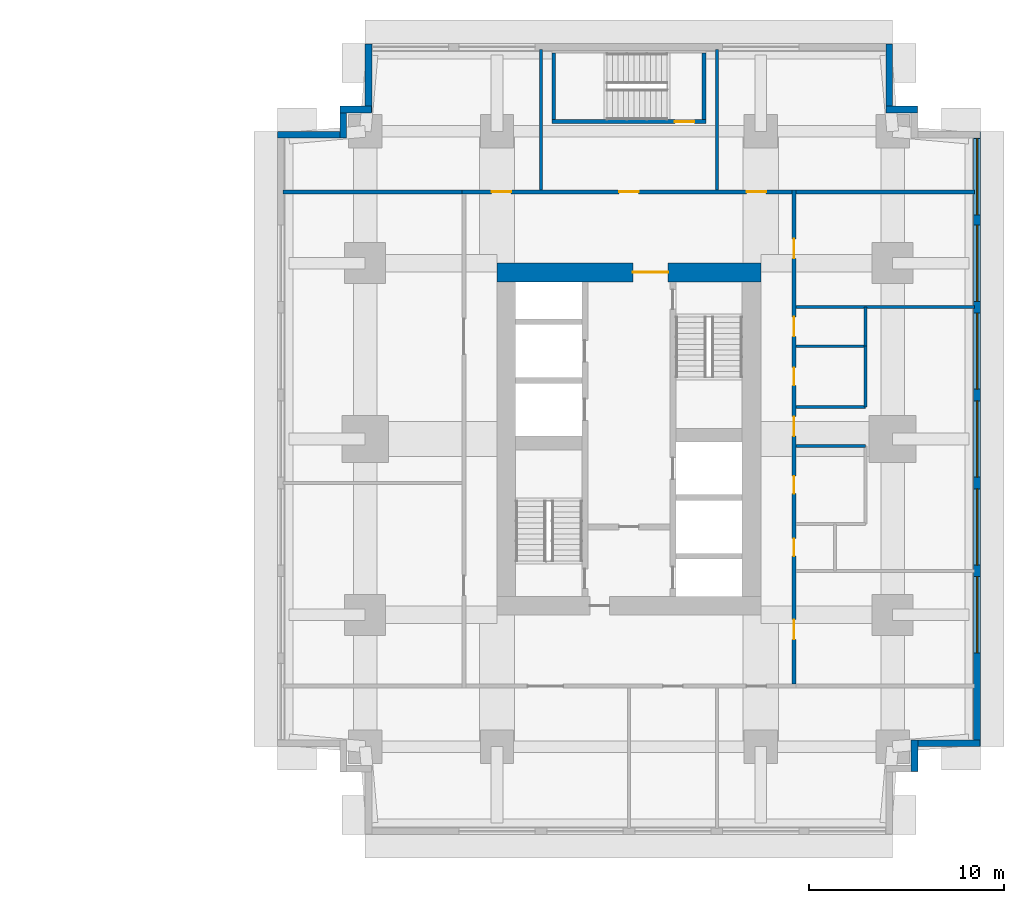
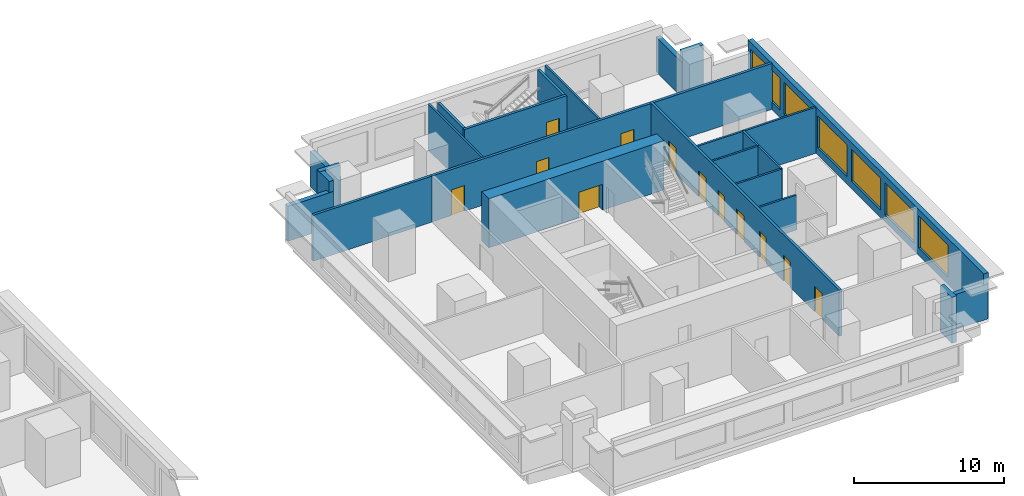
# One storey, part 7 of 11: 25 walls, 12 doors, 6 windows, 18 openings.
"""IFC4 building model written with IfcOpenShell, lengths in metres."""

from ifc_helpers import new_model, si_unit, direction, frame, frame_2d, origin, place, context, subcontext, project, spatial, rectangle, extrude, material, layer, layer_set, type_object, element, fill, save


model = new_model("IFC4")

# Units and contexts
model_context = context("Model", 3, precision=1e-05, world=origin(), true_north=direction((0.0, 1.0)))
body_context = subcontext(model_context, "Body", "Model", "MODEL_VIEW")
ifc_project = project(units=[si_unit("LENGTHUNIT", "METRE"), si_unit("AREAUNIT", "SQUARE_METRE"), si_unit("VOLUMEUNIT", "CUBIC_METRE"), si_unit("PLANEANGLEUNIT", "RADIAN"), si_unit("MASSUNIT", "GRAM", prefix="KILO")], contexts=[model_context])

# Site, building, storey
site_placement = place(None, origin())
site = spatial("IfcSite", under=ifc_project, at=site_placement, CompositionType="ELEMENT")
building_placement = place(site_placement, origin())
building = spatial("IfcBuilding", under=site, at=building_placement, Name="Namib Vertical Campus", CompositionType="ELEMENT")
storey_placement = place(building_placement, frame((0.0, 0.0, 65.0)))
storey = spatial("IfcBuildingStorey", under=building, at=storey_placement, Name="L15", CompositionType="ELEMENT", Elevation=65.0)

# Wall, opening, door
ifc_material_1 = material(Name="Concrete C60/75", Category="concrete")
ifc_layer_1 = layer(ifc_material_1, 0.949951171875)
ifc_layer_set_1 = layer_set([ifc_layer_1], Name="Concrete C60/75")
wall_type_1 = type_object("IfcWallType", Name="Core wall 950", PredefinedType="SHEAR", material=ifc_layer_set_1)
wall_1_placement = place(storey_placement, frame((87.75, 28.77490234375, 0.0), z_axis=(0.0, 0.0, 1.0), x_axis=(-1.0, 0.0, 0.0)))
wall_1 = element("IfcWall", 1, at=wall_1_placement, inside=storey, type_object=wall_type_1, Name="Core wall B L15 3", PredefinedType="SHEAR", context=body_context, shape_type="SweptSolid", body=[
    extrude(rectangle(XDim=13.5, YDim=0.949951171875, at=frame_2d((6.75, 0.0))), origin(), (0.0, 0.0, 1.0), 4.0),
])
opening_1_placement = place(wall_1_placement, frame((4.75, 0.0, 0.0)))
opening_1 = element("IfcOpeningElement", 2, at=opening_1_placement, cuts=wall_1, Name="Opening FD2", PredefinedType="OPENING", context=body_context, shape_type="SweptSolid", body=[
    extrude(rectangle(XDim=1.800048828125, YDim=2.10009765625, at=frame_2d((0.89990234375, 1.050048828125))), frame((0.0, 0.48486328125, 0.0), z_axis=(0.0, -1.0, 0.0), x_axis=(1.0, 0.0, 0.0)), (0.0, 0.0, 1.0), 0.969970703125),
])
ifc_material_2 = material(Name="Steel fire door", Category="steel")
door_type_1 = type_object("IfcDoorType", Name="Fire door double 1800x2100", OperationType="DOUBLE_DOOR_SINGLE_SWING", PredefinedType="DOOR", material=ifc_material_2)
door_1_placement = place(opening_1_placement, origin())
door_1 = element("IfcDoor", 3, at=door_1_placement, inside=storey, type_object=door_type_1, Name="Lift lobby door FD2 B L15", OperationType="DOUBLE_DOOR_SINGLE_SWING", OverallHeight=2.10009765625, OverallWidth=1.800048828125, PredefinedType="DOOR", context=body_context, shape_type="SweptSolid", body=[
    extrude(rectangle(XDim=1.800048828125, YDim=2.10009765625, at=frame_2d((0.89990234375, 1.050048828125))), frame((0.0, 0.02490234375, 0.0), z_axis=(0.0, -1.0, 0.0), x_axis=(1.0, 0.0, 0.0)), (0.0, 0.0, 1.0), 0.050048828125),
])
fill(opening_1, door_1)

# Wall, openings, doors
ifc_material_3 = material(Name="Concrete masonry", Category="masonry")
ifc_layer_2 = layer(ifc_material_3, 0.199951171875)
ifc_layer_set_2 = layer_set([ifc_layer_2], Name="Corridor wall 200")
wall_type_2 = type_object("IfcWallType", Name="Corridor wall 200", PredefinedType="SOLIDWALL", material=ifc_layer_set_2)
wall_2_placement = place(storey_placement, frame((89.449951171875, 7.699951171875, 0.0), z_axis=(0.0, 0.0, 1.0), x_axis=(0.0, 1.0, 0.0)))
wall_2 = element("IfcWall", 4, at=wall_2_placement, inside=storey, type_object=wall_type_2, Name="Corridor wall B L15 CE", PredefinedType="SOLIDWALL", context=body_context, shape_type="SweptSolid", body=[
    extrude(rectangle(XDim=25.300048828125, YDim=0.199951171875, at=frame_2d((12.64990234375, 0.0))), origin(), (0.0, 0.0, 1.0), 3.75),
])
opening_2_placement = place(wall_2_placement, frame((2.300048828125, 0.0, 0.0)))
opening_2 = element("IfcOpeningElement", 5, at=opening_2_placement, cuts=wall_2, Name="Opening CD1", PredefinedType="OPENING", context=body_context, shape_type="SweptSolid", body=[
    extrude(rectangle(XDim=1.0, YDim=2.10009765625, at=frame_2d((0.5, 1.050048828125))), frame((0.0, 0.10986328125, 0.0), z_axis=(0.0, -1.0, 0.0), x_axis=(1.0, 0.0, 0.0)), (0.0, 0.0, 1.0), 0.219970703125),
])
opening_3_placement = place(wall_2_placement, frame((6.550048828125, 0.0, 0.0)))
opening_3 = element("IfcOpeningElement", 6, at=opening_3_placement, cuts=wall_2, Name="Opening CD3", PredefinedType="OPENING", context=body_context, shape_type="SweptSolid", body=[
    extrude(rectangle(XDim=0.89990234375, YDim=2.10009765625, at=frame_2d((0.449951171875, 1.050048828125))), frame((0.0, 0.10986328125, 0.0), z_axis=(0.0, -1.0, 0.0), x_axis=(1.0, 0.0, 0.0)), (0.0, 0.0, 1.0), 0.219970703125),
])
opening_4_placement = place(wall_2_placement, frame((9.75, 0.0, 0.0)))
opening_4 = element("IfcOpeningElement", 7, at=opening_4_placement, cuts=wall_2, Name="Opening CD3", PredefinedType="OPENING", context=body_context, shape_type="SweptSolid", body=[
    extrude(rectangle(XDim=0.89990234375, YDim=2.10009765625, at=frame_2d((0.449951171875, 1.050048828125))), frame((0.0, 0.10986328125, 0.0), z_axis=(0.0, -1.0, 0.0), x_axis=(1.0, 0.0, 0.0)), (0.0, 0.0, 1.0), 0.219970703125),
])
opening_5_placement = place(wall_2_placement, frame((15.300048828125, 0.0, 0.0)))
opening_5 = element("IfcOpeningElement", 8, at=opening_5_placement, cuts=wall_2, Name="Opening CD3", PredefinedType="OPENING", context=body_context, shape_type="SweptSolid", body=[
    extrude(rectangle(XDim=0.89990234375, YDim=2.10009765625, at=frame_2d((0.449951171875, 1.050048828125))), frame((0.0, 0.10986328125, 0.0), z_axis=(0.0, -1.0, 0.0), x_axis=(1.0, 0.0, 0.0)), (0.0, 0.0, 1.0), 0.219970703125),
])
opening_6_placement = place(wall_2_placement, frame((17.800048828125, 0.0, 0.0)))
opening_6 = element("IfcOpeningElement", 9, at=opening_6_placement, cuts=wall_2, Name="Opening CD1", PredefinedType="OPENING", context=body_context, shape_type="SweptSolid", body=[
    extrude(rectangle(XDim=1.0, YDim=2.10009765625, at=frame_2d((0.5, 1.050048828125))), frame((0.0, 0.10986328125, 0.0), z_axis=(0.0, -1.0, 0.0), x_axis=(1.0, 0.0, 0.0)), (0.0, 0.0, 1.0), 0.219970703125),
])
opening_7_placement = place(wall_2_placement, frame((12.699951171875, 0.0, 0.0)))
opening_7 = element("IfcOpeningElement", 10, at=opening_7_placement, cuts=wall_2, Name="Opening CD1", PredefinedType="OPENING", context=body_context, shape_type="SweptSolid", body=[
    extrude(rectangle(XDim=1.0, YDim=2.10009765625, at=frame_2d((0.5, 1.050048828125))), frame((0.0, 0.10986328125, 0.0), z_axis=(0.0, -1.0, 0.0), x_axis=(1.0, 0.0, 0.0)), (0.0, 0.0, 1.0), 0.219970703125),
])
opening_8_placement = place(wall_2_placement, frame((21.800048828125, 0.0, 0.0)))
opening_8 = element("IfcOpeningElement", 11, at=opening_8_placement, cuts=wall_2, Name="Opening CD1", PredefinedType="OPENING", context=body_context, shape_type="SweptSolid", body=[
    extrude(rectangle(XDim=1.0, YDim=2.10009765625, at=frame_2d((0.5, 1.050048828125))), frame((0.0, 0.10986328125, 0.0), z_axis=(0.0, -1.0, 0.0), x_axis=(1.0, 0.0, 0.0)), (0.0, 0.0, 1.0), 0.219970703125),
])
ifc_material_4 = material(Name="Timber fire door leaf", Category="wood")
door_type_2 = type_object("IfcDoorType", Name="Corridor door 1000x2100 20 min", OperationType="SINGLE_SWING_LEFT", PredefinedType="DOOR", material=ifc_material_4)
door_2_placement = place(opening_2_placement, frame((1.0, 0.0, 0.0), z_axis=(0.0, 0.0, 1.0), x_axis=(-1.0, 0.0, 0.0)))
door_2 = element("IfcDoor", 12, at=door_2_placement, inside=storey, type_object=door_type_2, Name="Door CD1 B15-04", OperationType="SINGLE_SWING_RIGHT", OverallHeight=2.10009765625, OverallWidth=1.0, PredefinedType="DOOR", context=body_context, shape_type="SweptSolid", body=[
    extrude(rectangle(XDim=1.0, YDim=2.10009765625, at=frame_2d((0.5, 1.050048828125))), frame((0.0, 0.02490234375, 0.0), z_axis=(0.0, -1.0, 0.0), x_axis=(1.0, 0.0, 0.0)), (0.0, 0.0, 1.0), 0.050048828125),
])
fill(opening_2, door_2)
door_3_placement = place(opening_6_placement, frame((1.0, 0.0, 0.0), z_axis=(0.0, 0.0, 1.0), x_axis=(-1.0, 0.0, 0.0)))
door_3 = element("IfcDoor", 13, at=door_3_placement, inside=storey, type_object=door_type_2, Name="Door CD1 B15-08", OperationType="SINGLE_SWING_RIGHT", OverallHeight=2.10009765625, OverallWidth=1.0, PredefinedType="DOOR", context=body_context, shape_type="SweptSolid", body=[
    extrude(rectangle(XDim=1.0, YDim=2.10009765625, at=frame_2d((0.5, 1.050048828125))), frame((0.0, 0.02490234375, 0.0), z_axis=(0.0, -1.0, 0.0), x_axis=(1.0, 0.0, 0.0)), (0.0, 0.0, 1.0), 0.050048828125),
])
fill(opening_6, door_3)
door_4_placement = place(opening_7_placement, frame((1.0, 0.0, 0.0), z_axis=(0.0, 0.0, 1.0), x_axis=(-1.0, 0.0, 0.0)))
door_4 = element("IfcDoor", 14, at=door_4_placement, inside=storey, type_object=door_type_2, Name="Door CD1 B15-09", OperationType="SINGLE_SWING_RIGHT", OverallHeight=2.10009765625, OverallWidth=1.0, PredefinedType="DOOR", context=body_context, shape_type="SweptSolid", body=[
    extrude(rectangle(XDim=1.0, YDim=2.10009765625, at=frame_2d((0.5, 1.050048828125))), frame((0.0, 0.02490234375, 0.0), z_axis=(0.0, -1.0, 0.0), x_axis=(1.0, 0.0, 0.0)), (0.0, 0.0, 1.0), 0.050048828125),
])
fill(opening_7, door_4)
door_5_placement = place(opening_8_placement, frame((1.0, 0.0, 0.0), z_axis=(0.0, 0.0, 1.0), x_axis=(-1.0, 0.0, 0.0)))
door_5 = element("IfcDoor", 15, at=door_5_placement, inside=storey, type_object=door_type_2, Name="Door CD1 B15-10", OperationType="SINGLE_SWING_RIGHT", OverallHeight=2.10009765625, OverallWidth=1.0, PredefinedType="DOOR", context=body_context, shape_type="SweptSolid", body=[
    extrude(rectangle(XDim=1.0, YDim=2.10009765625, at=frame_2d((0.5, 1.050048828125))), frame((0.0, 0.02490234375, 0.0), z_axis=(0.0, -1.0, 0.0), x_axis=(1.0, 0.0, 0.0)), (0.0, 0.0, 1.0), 0.050048828125),
])
fill(opening_8, door_5)
ifc_material_5 = material(Name="Timber fire door leaf", Category="wood")
door_type_3 = type_object("IfcDoorType", Name="Corridor toilet door 900x2100 20 min", OperationType="SINGLE_SWING_LEFT", PredefinedType="DOOR", material=ifc_material_5)
door_6_placement = place(opening_3_placement, frame((0.89990234375, 0.0, 0.0), z_axis=(0.0, 0.0, 1.0), x_axis=(-1.0, 0.0, 0.0)))
door_6 = element("IfcDoor", 16, at=door_6_placement, inside=storey, type_object=door_type_3, Name="Door CD3 B15-05", OperationType="SINGLE_SWING_RIGHT", OverallHeight=2.10009765625, OverallWidth=0.89990234375, PredefinedType="DOOR", context=body_context, shape_type="SweptSolid", body=[
    extrude(rectangle(XDim=0.89990234375, YDim=2.10009765625, at=frame_2d((0.449951171875, 1.050048828125))), frame((0.0, 0.02490234375, 0.0), z_axis=(0.0, -1.0, 0.0), x_axis=(1.0, 0.0, 0.0)), (0.0, 0.0, 1.0), 0.050048828125),
])
fill(opening_3, door_6)
door_7_placement = place(opening_4_placement, frame((0.89990234375, 0.0, 0.0), z_axis=(0.0, 0.0, 1.0), x_axis=(-1.0, 0.0, 0.0)))
door_7 = element("IfcDoor", 17, at=door_7_placement, inside=storey, type_object=door_type_3, Name="Door CD3 B15-06", OperationType="SINGLE_SWING_RIGHT", OverallHeight=2.10009765625, OverallWidth=0.89990234375, PredefinedType="DOOR", context=body_context, shape_type="SweptSolid", body=[
    extrude(rectangle(XDim=0.89990234375, YDim=2.10009765625, at=frame_2d((0.449951171875, 1.050048828125))), frame((0.0, 0.02490234375, 0.0), z_axis=(0.0, -1.0, 0.0), x_axis=(1.0, 0.0, 0.0)), (0.0, 0.0, 1.0), 0.050048828125),
])
fill(opening_4, door_7)
door_8_placement = place(opening_5_placement, frame((0.89990234375, 0.0, 0.0), z_axis=(0.0, 0.0, 1.0), x_axis=(-1.0, 0.0, 0.0)))
door_8 = element("IfcDoor", 18, at=door_8_placement, inside=storey, type_object=door_type_3, Name="Door CD3 B15-07", OperationType="SINGLE_SWING_RIGHT", OverallHeight=2.10009765625, OverallWidth=0.89990234375, PredefinedType="DOOR", context=body_context, shape_type="SweptSolid", body=[
    extrude(rectangle(XDim=0.89990234375, YDim=2.10009765625, at=frame_2d((0.449951171875, 1.050048828125))), frame((0.0, 0.02490234375, 0.0), z_axis=(0.0, -1.0, 0.0), x_axis=(1.0, 0.0, 0.0)), (0.0, 0.0, 1.0), 0.050048828125),
])
fill(opening_5, door_8)

wall_3_placement = place(storey_placement, frame((89.35009765625, 32.89990234375, 0.0), z_axis=(0.0, 0.0, 1.0), x_axis=(-1.0, 0.0, 0.0)))
wall_3 = element("IfcWall", 19, at=wall_3_placement, inside=storey, type_object=wall_type_2, Name="Corridor wall B L15 CN", PredefinedType="SOLIDWALL", context=body_context, shape_type="SweptSolid", body=[
    extrude(rectangle(XDim=16.900146484375, YDim=0.199951171875, at=frame_2d((8.4501953125, 0.0))), origin(), (0.0, 0.0, 1.0), 3.75),
])
opening_9_placement = place(wall_3_placement, frame((14.375, 0.0, 0.0)))
opening_9 = element("IfcOpeningElement", 20, at=opening_9_placement, cuts=wall_3, Name="Opening CD1", PredefinedType="OPENING", context=body_context, shape_type="SweptSolid", body=[
    extrude(rectangle(XDim=1.0, YDim=2.10009765625, at=frame_2d((0.5, 1.050048828125))), frame((0.0, 0.10986328125, 0.0), z_axis=(0.0, -1.0, 0.0), x_axis=(1.0, 0.0, 0.0)), (0.0, 0.0, 1.0), 0.219970703125),
])
opening_10_placement = place(wall_3_placement, frame((7.85009765625, 0.0, 0.0)))
opening_10 = element("IfcOpeningElement", 21, at=opening_10_placement, cuts=wall_3, Name="Opening CD1", PredefinedType="OPENING", context=body_context, shape_type="SweptSolid", body=[
    extrude(rectangle(XDim=1.0, YDim=2.10009765625, at=frame_2d((0.5, 1.050048828125))), frame((0.0, 0.10986328125, 0.0), z_axis=(0.0, -1.0, 0.0), x_axis=(1.0, 0.0, 0.0)), (0.0, 0.0, 1.0), 0.219970703125),
])
opening_11_placement = place(wall_3_placement, frame((1.324951171875, 0.0, 0.0)))
opening_11 = element("IfcOpeningElement", 22, at=opening_11_placement, cuts=wall_3, Name="Opening CD1", PredefinedType="OPENING", context=body_context, shape_type="SweptSolid", body=[
    extrude(rectangle(XDim=1.0, YDim=2.10009765625, at=frame_2d((0.5, 1.050048828125))), frame((0.0, 0.10986328125, 0.0), z_axis=(0.0, -1.0, 0.0), x_axis=(1.0, 0.0, 0.0)), (0.0, 0.0, 1.0), 0.219970703125),
])
door_9_placement = place(opening_9_placement, frame((1.0, 0.0, 0.0), z_axis=(0.0, 0.0, 1.0), x_axis=(-1.0, 0.0, 0.0)))
door_9 = element("IfcDoor", 23, at=door_9_placement, inside=storey, type_object=door_type_2, Name="Door CD1 B15-11", OperationType="SINGLE_SWING_RIGHT", OverallHeight=2.10009765625, OverallWidth=1.0, PredefinedType="DOOR", context=body_context, shape_type="SweptSolid", body=[
    extrude(rectangle(XDim=1.0, YDim=2.10009765625, at=frame_2d((0.5, 1.050048828125))), frame((0.0, 0.02490234375, 0.0), z_axis=(0.0, -1.0, 0.0), x_axis=(1.0, 0.0, 0.0)), (0.0, 0.0, 1.0), 0.050048828125),
])
fill(opening_9, door_9)
door_10_placement = place(opening_10_placement, frame((1.0, 0.0, 0.0), z_axis=(0.0, 0.0, 1.0), x_axis=(-1.0, 0.0, 0.0)))
door_10 = element("IfcDoor", 24, at=door_10_placement, inside=storey, type_object=door_type_2, Name="Door CD1 B15-12", OperationType="SINGLE_SWING_RIGHT", OverallHeight=2.10009765625, OverallWidth=1.0, PredefinedType="DOOR", context=body_context, shape_type="SweptSolid", body=[
    extrude(rectangle(XDim=1.0, YDim=2.10009765625, at=frame_2d((0.5, 1.050048828125))), frame((0.0, 0.02490234375, 0.0), z_axis=(0.0, -1.0, 0.0), x_axis=(1.0, 0.0, 0.0)), (0.0, 0.0, 1.0), 0.050048828125),
])
fill(opening_10, door_10)
door_11_placement = place(opening_11_placement, frame((1.0, 0.0, 0.0), z_axis=(0.0, 0.0, 1.0), x_axis=(-1.0, 0.0, 0.0)))
door_11 = element("IfcDoor", 25, at=door_11_placement, inside=storey, type_object=door_type_2, Name="Door CD1 B15-13", OperationType="SINGLE_SWING_LEFT", OverallHeight=2.10009765625, OverallWidth=1.0, PredefinedType="DOOR", context=body_context, shape_type="SweptSolid", body=[
    extrude(rectangle(XDim=1.0, YDim=2.10009765625, at=frame_2d((0.5, 1.050048828125))), frame((0.0, 0.02490234375, 0.0), z_axis=(0.0, -1.0, 0.0), x_axis=(1.0, 0.0, 0.0)), (0.0, 0.0, 1.0), 0.050048828125),
])
fill(opening_11, door_11)

# Walls
for number, where, z_axis, x_axis, name in (
    (26, (63.300048828125, 32.89990234375, 0.0), (0.0, 0.0, 1.0), (1.0, 0.0, 0.0), "Partition B L15 BNW"),
    (27, (89.550048828125, 32.89990234375, 0.0), (0.0, 0.0, 1.0), (1.0, 0.0, 0.0), "Partition B L15 BNE"),
):
    element("IfcWall", number, at=place(storey_placement, frame(where, z_axis=z_axis, x_axis=x_axis)), inside=storey, type_object=wall_type_2, Name=name, PredefinedType="SOLIDWALL", context=body_context, shape_type="SweptSolid", body=[
        extrude(rectangle(XDim=9.14990234375, YDim=0.199951171875, at=frame_2d((4.574951171875, 0.0))), origin(), (0.0, 0.0, 1.0), 3.75),
    ])
ifc_material_6 = material(Name="Concrete C40/50", Category="concrete")
ifc_layer_3 = layer(ifc_material_6, 0.35009765625)
ifc_layer_set_3 = layer_set([ifc_layer_3], Name="Concrete C40/50")
wall_type_3 = type_object("IfcWallType", Name="External wall 350 bush-hammered concrete", PredefinedType="STANDARD", material=ifc_layer_set_3)
wall_4_placement = place(storey_placement, frame((95.625, 3.219970703125, 0.0), z_axis=(0.0, 0.0, 1.0), x_axis=(0.0, 1.0, 0.0)))
element("IfcWall", 28, at=wall_4_placement, inside=storey, type_object=wall_type_3, Name="External wall L15 F04", PredefinedType="STANDARD", context=body_context, shape_type="SweptSolid", body=[
    extrude(rectangle(XDim=1.610107421875, YDim=0.35009765625, at=frame_2d((0.80517578125, 0.0))), origin(), (0.0, 0.0, 1.0), 3.75),
])
wall_5_placement = place(storey_placement, frame((95.469970703125, 4.675048828125, 0.0), z_axis=(0.0, 0.0, 1.0), x_axis=(1.0, 0.0, 0.0)))
element("IfcWall", 29, at=wall_5_placement, inside=storey, type_object=wall_type_3, Name="External wall L15 F05", PredefinedType="STANDARD", context=body_context, shape_type="SweptSolid", body=[
    extrude(rectangle(XDim=3.510009765625, YDim=0.35009765625, at=frame_2d((1.7548828125, 0.0))), origin(), (0.0, 0.0, 1.0), 2.85009765625),
])

# Wall, openings, windows
wall_6_placement = place(storey_placement, frame((98.824951171875, 4.52001953125, 0.0), z_axis=(0.0, 0.0, 1.0), x_axis=(0.0, 1.0, 0.0)))
wall_6 = element("IfcWall", 30, at=wall_6_placement, inside=storey, type_object=wall_type_3, Name="External wall L15 F06", PredefinedType="STANDARD", context=body_context, shape_type="SweptSolid", body=[
    extrude(rectangle(XDim=31.4599609375, YDim=0.35009765625, at=frame_2d((15.72998046875, 0.0))), origin(), (0.0, 0.0, 1.0), 3.75),
])
opening_12_placement = place(wall_6_placement, frame((4.780029296875, 0.0, 0.60009765625)))
opening_12 = element("IfcOpeningElement", 31, at=opening_12_placement, cuts=wall_6, Name="Opening W2", PredefinedType="OPENING", context=body_context, shape_type="SweptSolid", body=[
    extrude(rectangle(XDim=3.89990234375, YDim=2.60009765625, at=frame_2d((1.949951171875, 1.300048828125))), frame((0.0, 0.18505859375, 0.0), z_axis=(0.0, -1.0, 0.0), x_axis=(1.0, 0.0, 0.0)), (0.0, 0.0, 1.0), 0.3701171875),
])
opening_13_placement = place(wall_6_placement, frame((9.280029296875, 0.0, 0.60009765625)))
opening_13 = element("IfcOpeningElement", 32, at=opening_13_placement, cuts=wall_6, Name="Opening W2", PredefinedType="OPENING", context=body_context, shape_type="SweptSolid", body=[
    extrude(rectangle(XDim=3.89990234375, YDim=2.60009765625, at=frame_2d((1.949951171875, 1.300048828125))), frame((0.0, 0.18505859375, 0.0), z_axis=(0.0, -1.0, 0.0), x_axis=(1.0, 0.0, 0.0)), (0.0, 0.0, 1.0), 0.3701171875),
])
opening_14_placement = place(wall_6_placement, frame((13.780029296875, 0.0, 0.60009765625)))
opening_14 = element("IfcOpeningElement", 33, at=opening_14_placement, cuts=wall_6, Name="Opening W2", PredefinedType="OPENING", context=body_context, shape_type="SweptSolid", body=[
    extrude(rectangle(XDim=3.89990234375, YDim=2.60009765625, at=frame_2d((1.949951171875, 1.300048828125))), frame((0.0, 0.18505859375, 0.0), z_axis=(0.0, -1.0, 0.0), x_axis=(1.0, 0.0, 0.0)), (0.0, 0.0, 1.0), 0.3701171875),
])
opening_15_placement = place(wall_6_placement, frame((18.280029296875, 0.0, 0.60009765625)))
opening_15 = element("IfcOpeningElement", 34, at=opening_15_placement, cuts=wall_6, Name="Opening W2", PredefinedType="OPENING", context=body_context, shape_type="SweptSolid", body=[
    extrude(rectangle(XDim=3.89990234375, YDim=2.60009765625, at=frame_2d((1.949951171875, 1.300048828125))), frame((0.0, 0.18505859375, 0.0), z_axis=(0.0, -1.0, 0.0), x_axis=(1.0, 0.0, 0.0)), (0.0, 0.0, 1.0), 0.3701171875),
])
opening_16_placement = place(wall_6_placement, frame((22.780029296875, 0.0, 0.60009765625)))
opening_16 = element("IfcOpeningElement", 35, at=opening_16_placement, cuts=wall_6, Name="Opening W2", PredefinedType="OPENING", context=body_context, shape_type="SweptSolid", body=[
    extrude(rectangle(XDim=3.89990234375, YDim=2.60009765625, at=frame_2d((1.949951171875, 1.300048828125))), frame((0.0, 0.18505859375, 0.0), z_axis=(0.0, -1.0, 0.0), x_axis=(1.0, 0.0, 0.0)), (0.0, 0.0, 1.0), 0.3701171875),
])
opening_17_placement = place(wall_6_placement, frame((27.2099609375, 0.0, 0.60009765625)))
opening_17 = element("IfcOpeningElement", 36, at=opening_17_placement, cuts=wall_6, Name="Opening W2", PredefinedType="OPENING", context=body_context, shape_type="SweptSolid", body=[
    extrude(rectangle(XDim=3.89990234375, YDim=2.60009765625, at=frame_2d((1.949951171875, 1.300048828125))), frame((0.0, 0.18505859375, 0.0), z_axis=(0.0, -1.0, 0.0), x_axis=(1.0, 0.0, 0.0)), (0.0, 0.0, 1.0), 0.3701171875),
])
ifc_material_7 = material(Name="Dark tinted glass in black aluminium frame", Category="aluminium")
window_type = type_object("IfcWindowType", Name="Ribbon window 3900x2600", PartitioningType="SINGLE_PANEL", PredefinedType="WINDOW", material=ifc_material_7)
window_1_placement = place(opening_12_placement, origin())
window_1 = element("IfcWindow", 37, at=window_1_placement, inside=storey, type_object=window_type, Name="Window W2 L15 F06-2", OverallHeight=2.60009765625, OverallWidth=3.89990234375, PartitioningType="SINGLE_PANEL", PredefinedType="WINDOW", context=body_context, shape_type="SweptSolid", body=[
    extrude(rectangle(XDim=3.89990234375, YDim=2.60009765625, at=frame_2d((1.949951171875, 1.300048828125))), frame((0.0, 0.030029296875, 0.0), z_axis=(0.0, -1.0, 0.0), x_axis=(1.0, 0.0, 0.0)), (0.0, 0.0, 1.0), 0.06005859375),
])
fill(opening_12, window_1)
window_2_placement = place(opening_13_placement, origin())
window_2 = element("IfcWindow", 38, at=window_2_placement, inside=storey, type_object=window_type, Name="Window W2 L15 F06-3", OverallHeight=2.60009765625, OverallWidth=3.89990234375, PartitioningType="SINGLE_PANEL", PredefinedType="WINDOW", context=body_context, shape_type="SweptSolid", body=[
    extrude(rectangle(XDim=3.89990234375, YDim=2.60009765625, at=frame_2d((1.949951171875, 1.300048828125))), frame((0.0, 0.030029296875, 0.0), z_axis=(0.0, -1.0, 0.0), x_axis=(1.0, 0.0, 0.0)), (0.0, 0.0, 1.0), 0.06005859375),
])
fill(opening_13, window_2)
window_3_placement = place(opening_14_placement, origin())
window_3 = element("IfcWindow", 39, at=window_3_placement, inside=storey, type_object=window_type, Name="Window W2 L15 F06-4", OverallHeight=2.60009765625, OverallWidth=3.89990234375, PartitioningType="SINGLE_PANEL", PredefinedType="WINDOW", context=body_context, shape_type="SweptSolid", body=[
    extrude(rectangle(XDim=3.89990234375, YDim=2.60009765625, at=frame_2d((1.949951171875, 1.300048828125))), frame((0.0, 0.030029296875, 0.0), z_axis=(0.0, -1.0, 0.0), x_axis=(1.0, 0.0, 0.0)), (0.0, 0.0, 1.0), 0.06005859375),
])
fill(opening_14, window_3)
window_4_placement = place(opening_15_placement, origin())
window_4 = element("IfcWindow", 40, at=window_4_placement, inside=storey, type_object=window_type, Name="Window W2 L15 F06-5", OverallHeight=2.60009765625, OverallWidth=3.89990234375, PartitioningType="SINGLE_PANEL", PredefinedType="WINDOW", context=body_context, shape_type="SweptSolid", body=[
    extrude(rectangle(XDim=3.89990234375, YDim=2.60009765625, at=frame_2d((1.949951171875, 1.300048828125))), frame((0.0, 0.030029296875, 0.0), z_axis=(0.0, -1.0, 0.0), x_axis=(1.0, 0.0, 0.0)), (0.0, 0.0, 1.0), 0.06005859375),
])
fill(opening_15, window_4)
window_5_placement = place(opening_16_placement, origin())
window_5 = element("IfcWindow", 41, at=window_5_placement, inside=storey, type_object=window_type, Name="Window W2 L15 F06-6", OverallHeight=2.60009765625, OverallWidth=3.89990234375, PartitioningType="SINGLE_PANEL", PredefinedType="WINDOW", context=body_context, shape_type="SweptSolid", body=[
    extrude(rectangle(XDim=3.89990234375, YDim=2.60009765625, at=frame_2d((1.949951171875, 1.300048828125))), frame((0.0, 0.030029296875, 0.0), z_axis=(0.0, -1.0, 0.0), x_axis=(1.0, 0.0, 0.0)), (0.0, 0.0, 1.0), 0.06005859375),
])
fill(opening_16, window_5)
window_6_placement = place(opening_17_placement, origin())
window_6 = element("IfcWindow", 42, at=window_6_placement, inside=storey, type_object=window_type, Name="Window W2 L15 F06-7", OverallHeight=2.60009765625, OverallWidth=3.89990234375, PartitioningType="SINGLE_PANEL", PredefinedType="WINDOW", context=body_context, shape_type="SweptSolid", body=[
    extrude(rectangle(XDim=3.89990234375, YDim=2.60009765625, at=frame_2d((1.949951171875, 1.300048828125))), frame((0.0, 0.030029296875, 0.0), z_axis=(0.0, -1.0, 0.0), x_axis=(1.0, 0.0, 0.0)), (0.0, 0.0, 1.0), 0.06005859375),
])
fill(opening_17, window_6)

# Walls
wall_7_placement = place(storey_placement, frame((95.780029296875, 37.125, 0.0), z_axis=(0.0, 0.0, 1.0), x_axis=(-1.0, 0.0, 0.0)))
element("IfcWall", 43, at=wall_7_placement, inside=storey, type_object=wall_type_3, Name="External wall L15 F09", PredefinedType="STANDARD", context=body_context, shape_type="SweptSolid", body=[
    extrude(rectangle(XDim=1.610107421875, YDim=0.35009765625, at=frame_2d((0.80517578125, 0.0))), origin(), (0.0, 0.0, 1.0), 3.75),
])
for number, where, z_axis, x_axis, name in (
    (44, (94.324951171875, 36.969970703125, 0.0), (0.0, 0.0, 1.0), (0.0, 1.0, 0.0), "External wall L15 F10"),
    (45, (67.675048828125, 40.47998046875, 0.0), (0.0, 0.0, 1.0), (0.0, -1.0, 0.0), "External wall L15 F12"),
):
    element("IfcWall", number, at=place(storey_placement, frame(where, z_axis=z_axis, x_axis=x_axis)), inside=storey, type_object=wall_type_3, Name=name, PredefinedType="STANDARD", context=body_context, shape_type="SweptSolid", body=[
        extrude(rectangle(XDim=3.510009765625, YDim=0.35009765625, at=frame_2d((1.7548828125, 0.0))), origin(), (0.0, 0.0, 1.0), 2.85009765625),
    ])
for number, where, z_axis, x_axis, name in (
    (46, (67.830078125, 37.125, 0.0), (0.0, 0.0, 1.0), (-1.0, 0.0, 0.0), "External wall L15 F13"),
    (47, (66.375, 37.280029296875, 0.0), (0.0, 0.0, 1.0), (0.0, -1.0, 0.0), "External wall L15 F14"),
):
    element("IfcWall", number, at=place(storey_placement, frame(where, z_axis=z_axis, x_axis=x_axis)), inside=storey, type_object=wall_type_3, Name=name, PredefinedType="STANDARD", context=body_context, shape_type="SweptSolid", body=[
        extrude(rectangle(XDim=1.610107421875, YDim=0.35009765625, at=frame_2d((0.80517578125, 0.0))), origin(), (0.0, 0.0, 1.0), 3.75),
    ])
wall_8_placement = place(storey_placement, frame((66.530029296875, 35.824951171875, 0.0), z_axis=(0.0, 0.0, 1.0), x_axis=(-1.0, 0.0, 0.0)))
element("IfcWall", 48, at=wall_8_placement, inside=storey, type_object=wall_type_3, Name="External wall L15 F15", PredefinedType="STANDARD", context=body_context, shape_type="SweptSolid", body=[
    extrude(rectangle(XDim=3.510009765625, YDim=0.35009765625, at=frame_2d((1.7548828125, 0.0))), origin(), (0.0, 0.0, 1.0), 2.85009765625),
])
ifc_material_8 = material(Name="Gypsum board on steel studs", Category="steel")
ifc_layer_4 = layer(ifc_material_8, 0.14990234375)
ifc_layer_set_4 = layer_set([ifc_layer_4], Name="Gypsum board on steel studs")
wall_type_4 = type_object("IfcWallType", Name="Partition 150", PredefinedType="PARTITIONING", material=ifc_layer_set_4)
for number, where, z_axis, x_axis, name in (
    (49, (76.5, 33.0, 0.0), (0.0, 0.0, 1.0), (0.0, 1.0, 0.0), "Partition B L15 PN1"),
    (50, (85.5, 33.0, 0.0), (0.0, 0.0, 1.0), (0.0, 1.0, 0.0), "Partition B L15 PN2"),
):
    element("IfcWall", number, at=place(storey_placement, frame(where, z_axis=z_axis, x_axis=x_axis)), inside=storey, type_object=wall_type_4, Name=name, PredefinedType="PARTITIONING", context=body_context, shape_type="SweptSolid", body=[
        extrude(rectangle(XDim=7.199951171875, YDim=0.14990234375, at=frame_2d((3.60009765625, 0.0))), origin(), (0.0, 0.0, 1.0), 3.75),
    ])
wall_9_placement = place(storey_placement, frame((89.550048828125, 27.0, 0.0), z_axis=(0.0, 0.0, 1.0), x_axis=(1.0, 0.0, 0.0)))
element("IfcWall", 51, at=wall_9_placement, inside=storey, type_object=wall_type_4, Name="Partition B L15 PE2", PredefinedType="PARTITIONING", context=body_context, shape_type="SweptSolid", body=[
    extrude(rectangle(XDim=9.14990234375, YDim=0.14990234375, at=frame_2d((4.574951171875, 0.0))), origin(), (0.0, 0.0, 1.0), 3.75),
])
wall_10_placement = place(storey_placement, frame((89.550048828125, 19.89990234375, 0.0), z_axis=(0.0, 0.0, 1.0), x_axis=(1.0, 0.0, 0.0)))
element("IfcWall", 52, at=wall_10_placement, inside=storey, type_object=wall_type_4, Name="Partition B L15 WR2", PredefinedType="PARTITIONING", context=body_context, shape_type="SweptSolid", body=[
    extrude(rectangle(XDim=3.550048828125, YDim=0.14990234375, at=frame_2d((1.77490234375, 0.0))), origin(), (0.0, 0.0, 1.0), 2.85009765625),
])
for number, where, z_axis, x_axis, name in (
    (53, (89.550048828125, 21.89990234375, 0.0), (0.0, 0.0, 1.0), (1.0, 0.0, 0.0), "Partition B L15 WR3"),
    (54, (89.550048828125, 25.0, 0.0), (0.0, 0.0, 1.0), (1.0, 0.0, 0.0), "Partition B L15 WR4"),
):
    element("IfcWall", number, at=place(storey_placement, frame(where, z_axis=z_axis, x_axis=x_axis)), inside=storey, type_object=wall_type_4, Name=name, PredefinedType="PARTITIONING", context=body_context, shape_type="SweptSolid", body=[
        extrude(rectangle(XDim=3.550048828125, YDim=0.14990234375, at=frame_2d((1.77490234375, 0.0))), origin(), (0.0, 0.0, 1.0), 3.75),
    ])
wall_11_placement = place(storey_placement, frame((93.10009765625, 21.89990234375, 0.0), z_axis=(0.0, 0.0, 1.0), x_axis=(0.0, 1.0, 0.0)))
element("IfcWall", 55, at=wall_11_placement, inside=storey, type_object=wall_type_4, Name="Partition B L15 WB3", PredefinedType="PARTITIONING", context=body_context, shape_type="SweptSolid", body=[
    extrude(rectangle(XDim=3.10009765625, YDim=0.14990234375, at=frame_2d((1.550048828125, 0.0))), origin(), (0.0, 0.0, 1.0), 3.75),
])
wall_12_placement = place(storey_placement, frame((93.10009765625, 25.0, 0.0), z_axis=(0.0, 0.0, 1.0), x_axis=(0.0, 1.0, 0.0)))
element("IfcWall", 56, at=wall_12_placement, inside=storey, type_object=wall_type_4, Name="Partition B L15 WB4", PredefinedType="PARTITIONING", context=body_context, shape_type="SweptSolid", body=[
    extrude(rectangle(XDim=2.0, YDim=0.14990234375, at=frame_2d((1.0, 0.0))), origin(), (0.0, 0.0, 1.0), 3.75),
])

# Wall, opening, door
ifc_material_9 = material(Name="Concrete C40/50", Category="concrete")
ifc_layer_5 = layer(ifc_material_9, 0.199951171875)
ifc_layer_set_5 = layer_set([ifc_layer_5], Name="Concrete C40/50")
wall_type_5 = type_object("IfcWallType", Name="Stair enclosure wall RC 200", PredefinedType="SOLIDWALL", material=ifc_layer_set_5)
wall_13_placement = place(storey_placement, frame((77.050048828125, 36.5, 0.0), z_axis=(0.0, 0.0, 1.0), x_axis=(1.0, 0.0, 0.0)))
wall_13 = element("IfcWall", 57, at=wall_13_placement, inside=storey, type_object=wall_type_5, Name="Stair enclosure wall B-S3 L15 S", PredefinedType="SOLIDWALL", context=body_context, shape_type="SweptSolid", body=[
    extrude(rectangle(XDim=7.89990234375, YDim=0.199951171875, at=frame_2d((3.949951171875, 0.0))), origin(), (0.0, 0.0, 1.0), 3.75),
])
opening_18_placement = place(wall_13_placement, frame((6.300048828125, 0.0, 0.0)))
opening_18 = element("IfcOpeningElement", 58, at=opening_18_placement, cuts=wall_13, Name="Opening FD1", PredefinedType="OPENING", context=body_context, shape_type="SweptSolid", body=[
    extrude(rectangle(XDim=1.0, YDim=2.10009765625, at=frame_2d((0.5, 1.050048828125))), frame((0.0, 0.10986328125, 0.0), z_axis=(0.0, -1.0, 0.0), x_axis=(1.0, 0.0, 0.0)), (0.0, 0.0, 1.0), 0.219970703125),
])
ifc_material_10 = material(Name="Steel fire door", Category="steel")
door_type_4 = type_object("IfcDoorType", Name="Fire door 1000x2100", OperationType="SINGLE_SWING_RIGHT", PredefinedType="DOOR", material=ifc_material_10)
door_12_placement = place(opening_18_placement, origin())
door_12 = element("IfcDoor", 59, at=door_12_placement, inside=storey, type_object=door_type_4, Name="Stair door FD1 B L15 S3", OperationType="SINGLE_SWING_RIGHT", OverallHeight=2.10009765625, OverallWidth=1.0, PredefinedType="DOOR", context=body_context, shape_type="SweptSolid", body=[
    extrude(rectangle(XDim=1.0, YDim=2.10009765625, at=frame_2d((0.5, 1.050048828125))), frame((0.0, 0.02490234375, 0.0), z_axis=(0.0, -1.0, 0.0), x_axis=(1.0, 0.0, 0.0)), (0.0, 0.0, 1.0), 0.050048828125),
])
fill(opening_18, door_12)

# Walls
for number, where, z_axis, x_axis, name in (
    (60, (77.14990234375, 36.60009765625, 0.0), (0.0, 0.0, 1.0), (0.0, 1.0, 0.0), "Stair enclosure wall B-S3 L15 W"),
    (61, (84.85009765625, 36.60009765625, 0.0), (0.0, 0.0, 1.0), (0.0, 1.0, 0.0), "Stair enclosure wall B-S3 L15 E"),
):
    element("IfcWall", number, at=place(storey_placement, frame(where, z_axis=z_axis, x_axis=x_axis)), inside=storey, type_object=wall_type_5, Name=name, PredefinedType="SOLIDWALL", context=body_context, shape_type="SweptSolid", body=[
        extrude(rectangle(XDim=3.39990234375, YDim=0.199951171875, at=frame_2d((1.699951171875, 0.0))), origin(), (0.0, 0.0, 1.0), 3.75),
    ])

save(model, "model.ifc")
